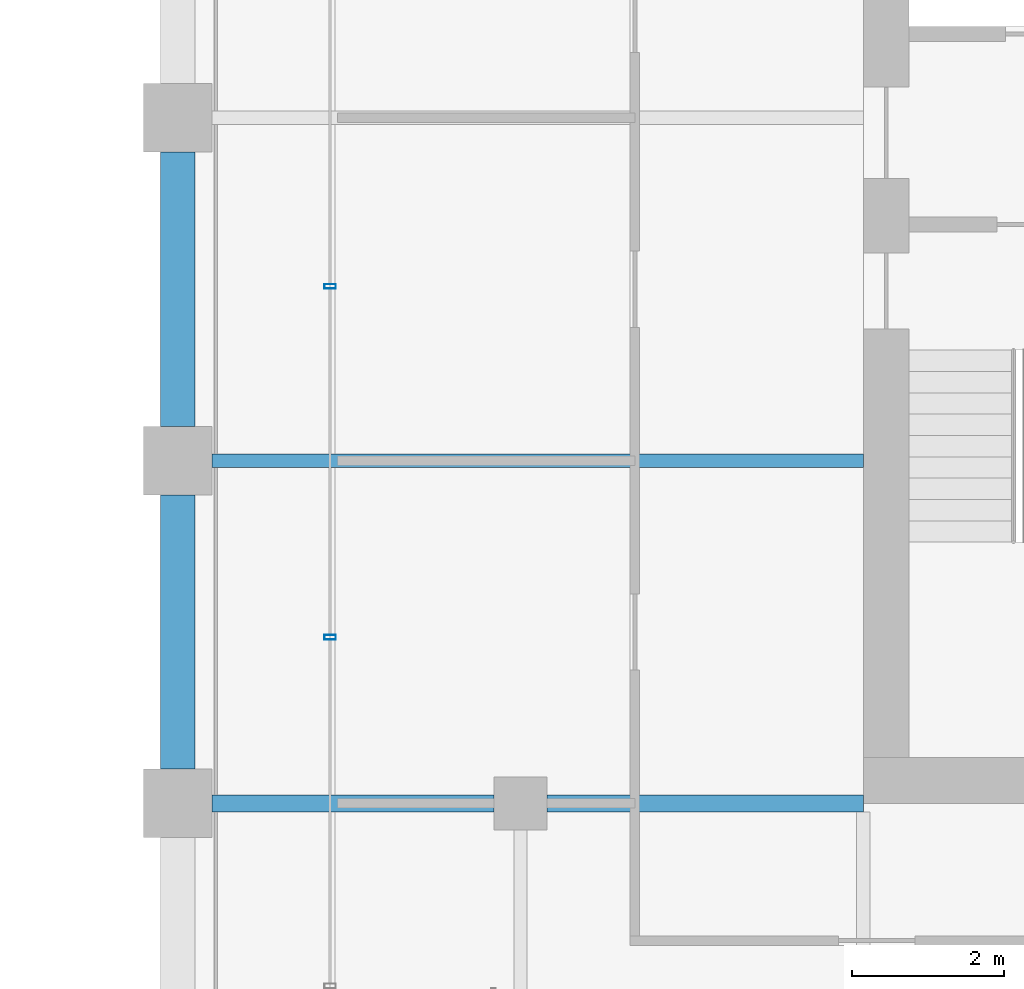
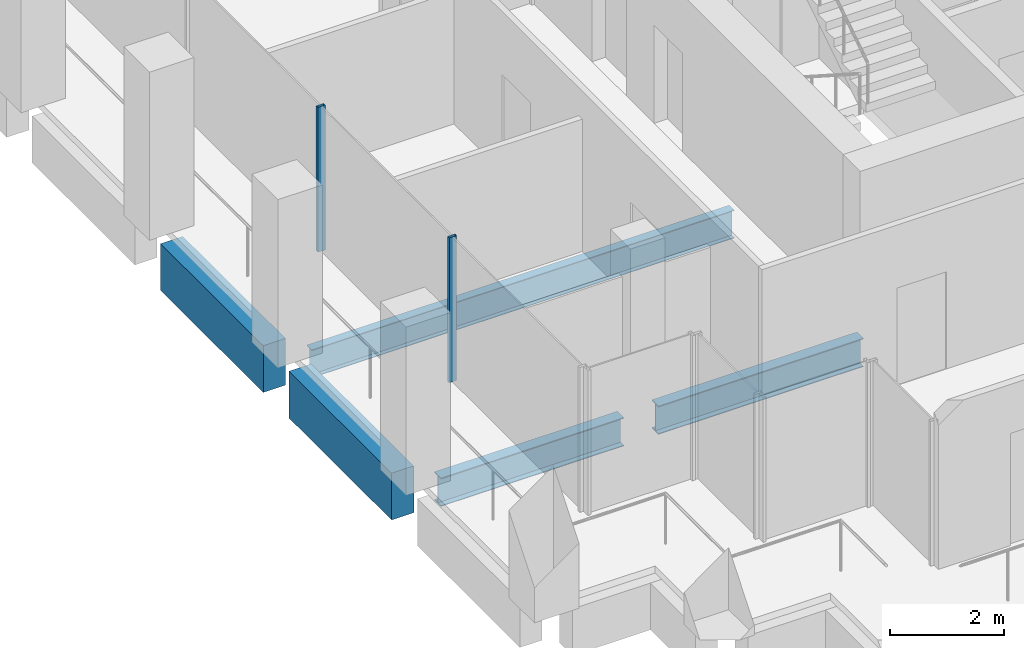
# One storey, part 30 of 40: 5 beams, 2 members, 1 element without a shape of its own.
"""IFC4 building model written with IfcOpenShell, lengths in metres."""

from ifc_helpers import new_model, si_unit, direction, frame, origin, origin_2d, place, context, subcontext, project, spatial, rectangle, hollow_rectangle, i_section, extrude, material, material_profile, profile_set, type_object, element, aggregate, save


model = new_model("IFC4")

# Units and contexts
model_context = context("Model", 3, precision=1e-05, world=origin(), true_north=direction((0.0, 1.0)))
body_context = subcontext(model_context, "Body", "Model", "MODEL_VIEW")
ifc_project = project(units=[si_unit("LENGTHUNIT", "METRE"), si_unit("AREAUNIT", "SQUARE_METRE"), si_unit("VOLUMEUNIT", "CUBIC_METRE"), si_unit("PLANEANGLEUNIT", "RADIAN"), si_unit("MASSUNIT", "GRAM", prefix="KILO")], contexts=[model_context])

# Site, building, storey
site_placement = place(None, origin())
site = spatial("IfcSite", under=ifc_project, at=site_placement, CompositionType="ELEMENT")
building_placement = place(site_placement, origin())
building = spatial("IfcBuilding", under=site, at=building_placement, Name="Altepetl Exchange Towers", CompositionType="ELEMENT")
storey_placement = place(building_placement, frame((0.0, 0.0, 169.0)))
storey = spatial("IfcBuildingStorey", under=building, at=storey_placement, Name="L42", CompositionType="ELEMENT", Elevation=169.0)

# Beams
ifc_material_1 = material(Name="Steel S355", Category="steel")
ifc_material_profile_1 = material_profile(ifc_material_1, i_section(OverallWidth=0.177978515625, OverallDepth=0.59912109375, WebThickness=0.010009765625, FlangeThickness=0.0126953125, at=origin_2d()), Name="W24X55")
ifc_profile_set_1 = profile_set([ifc_material_profile_1], Name="Steel S355")
beam_type_1 = type_object("IfcBeamType", Name="Floor beam W24X55", PredefinedType="BEAM", material=ifc_profile_set_1)
beam_1_placement = place(storey_placement, frame((94.949951171875, 40.5, -0.449462890625), z_axis=(1.0, 0.0, 0.0), x_axis=(0.0, 1.0, 0.0)))
element("IfcBeam", 1, at=beam_1_placement, inside=storey, type_object=beam_type_1, Name="bm:B:L42:004", PredefinedType="BEAM", context=body_context, shape_type="SweptSolid", body=[
    extrude(i_section(OverallWidth=0.177978515625, OverallDepth=0.59912109375, WebThickness=0.010009765625, FlangeThickness=0.0126953125, at=origin_2d()), origin(), (0.0, 0.0, 1.0), 8.550048828125),
])
ifc_material_profile_2 = material_profile(ifc_material_1, i_section(OverallWidth=0.22802734375, OverallDepth=0.60791015625, WebThickness=0.01123046875, FlangeThickness=0.017333984375, at=origin_2d()), Name="W24X76")
ifc_profile_set_2 = profile_set([ifc_material_profile_2], Name="Steel S355")
beam_type_2 = type_object("IfcBeamType", Name="Girder W24X76", PredefinedType="BEAM", material=ifc_profile_set_2)
beam_2_placement = place(storey_placement, frame((103.5, 36.0, -0.4541015625), z_axis=(-1.0, 0.0, 0.0), x_axis=(0.0, -1.0, 0.0)))
element("IfcBeam", 2, at=beam_2_placement, inside=storey, type_object=beam_type_2, Name="gd:B:L42:000", PredefinedType="BEAM", context=body_context, shape_type="SweptSolid", body=[
    extrude(i_section(OverallWidth=0.22802734375, OverallDepth=0.60791015625, WebThickness=0.01123046875, FlangeThickness=0.017333984375, at=origin_2d()), origin(), (0.0, 0.0, 1.0), 4.14990234375),
])
beam_3_placement = place(storey_placement, frame((98.64990234375, 36.0, -0.4541015625), z_axis=(-1.0, 0.0, 0.0), x_axis=(0.0, -1.0, 0.0)))
element("IfcBeam", 3, at=beam_3_placement, inside=storey, type_object=beam_type_2, Name="gd:B:L42:001", PredefinedType="BEAM", context=body_context, shape_type="SweptSolid", body=[
    extrude(i_section(OverallWidth=0.22802734375, OverallDepth=0.60791015625, WebThickness=0.01123046875, FlangeThickness=0.017333984375, at=origin_2d()), origin(), (0.0, 0.0, 1.0), 3.699951171875),
])

# Curtain wall, members
ifc_material_2 = material(Name="Aluminium 6063-T6 glazing", Category="aluminium")
curtain_wall_type = type_object("IfcCurtainWallType", Name="Loggia glazing system", PredefinedType="NOTDEFINED", material=ifc_material_2)
curtain_wall_placement = place(storey_placement, origin())
curtain_wall = element("IfcCurtainWall", 4, at=curtain_wall_placement, inside=storey, type_object=curtain_wall_type, Name="CW1 run", PredefinedType="NOTDEFINED")
ifc_material_3 = material(Name="Aluminium 6063-T6", Category="aluminium")
ifc_material_profile_3 = material_profile(ifc_material_3, hollow_rectangle(XDim=0.06005859375, YDim=0.14990234375, WallThickness=0.0029296875, at=origin_2d()), Name="Mullion 60x150 aluminium")
ifc_profile_set_3 = profile_set([ifc_material_profile_3], Name="Aluminium 6063-T6")
member_type = type_object("IfcMemberType", Name="Mullion 60x150 aluminium", PredefinedType="MULLION", material=ifc_profile_set_3)
member_1_placement = place(storey_placement, frame((96.5, 42.78759765625, 0.0), z_axis=(0.0, 0.0, 1.0), x_axis=(0.0, -1.0, 0.0)))
member_1 = element("IfcMember", 5, at=member_1_placement, type_object=member_type, Name="MU1 mullion", PredefinedType="MULLION", context=body_context, shape_type="SweptSolid", body=[
    extrude(hollow_rectangle(XDim=0.06005859375, YDim=0.14990234375, WallThickness=0.0029296875, at=origin_2d()), origin(), (0.0, 0.0, 1.0), 3.10009765625),
])
member_2_placement = place(storey_placement, frame((96.5, 38.18115234375, 0.0), z_axis=(0.0, 0.0, 1.0), x_axis=(0.0, -1.0, 0.0)))
member_2 = element("IfcMember", 6, at=member_2_placement, type_object=member_type, Name="MU1 mullion", PredefinedType="MULLION", context=body_context, shape_type="SweptSolid", body=[
    extrude(hollow_rectangle(XDim=0.06005859375, YDim=0.14990234375, WallThickness=0.0029296875, at=origin_2d()), origin(), (0.0, 0.0, 1.0), 3.10009765625),
])
aggregate(curtain_wall, [member_1, member_2])

# Beams
ifc_material_4 = material(Name="Concrete C50/60 precast with cantera rosa facing", Category="concrete")
ifc_material_profile_4 = material_profile(ifc_material_4, rectangle(XDim=0.449951171875, YDim=1.0, at=origin_2d()), Name="450 x 1000")
ifc_profile_set_4 = profile_set([ifc_material_profile_4], Name="Concrete C50/60 precast with cantera rosa facing")
beam_type_3 = type_object("IfcBeamType", Name="Spandrel beam 450x1000 cantera rosa", PredefinedType="SPANDREL", material=ifc_profile_set_4)
for number, where, z_axis, x_axis, name in (
    (7, (94.5, 44.550048828125, -0.64990234375), (0.0, -1.0, 0.0), (1.0, 0.0, 0.0), "sp:B:L42:017"),
    (8, (94.5, 40.050048828125, -0.64990234375), (0.0, -1.0, 0.0), (1.0, 0.0, 0.0), "sp:B:L42:018"),
):
    element("IfcBeam", number, at=place(storey_placement, frame(where, z_axis=z_axis, x_axis=x_axis)), inside=storey, type_object=beam_type_3, Name=name, PredefinedType="SPANDREL", context=body_context, shape_type="SweptSolid", body=[
        extrude(rectangle(XDim=0.449951171875, YDim=1.0, at=origin_2d()), origin(), (0.0, 0.0, 1.0), 3.60009765625),
    ])

save(model, "model.ifc")
